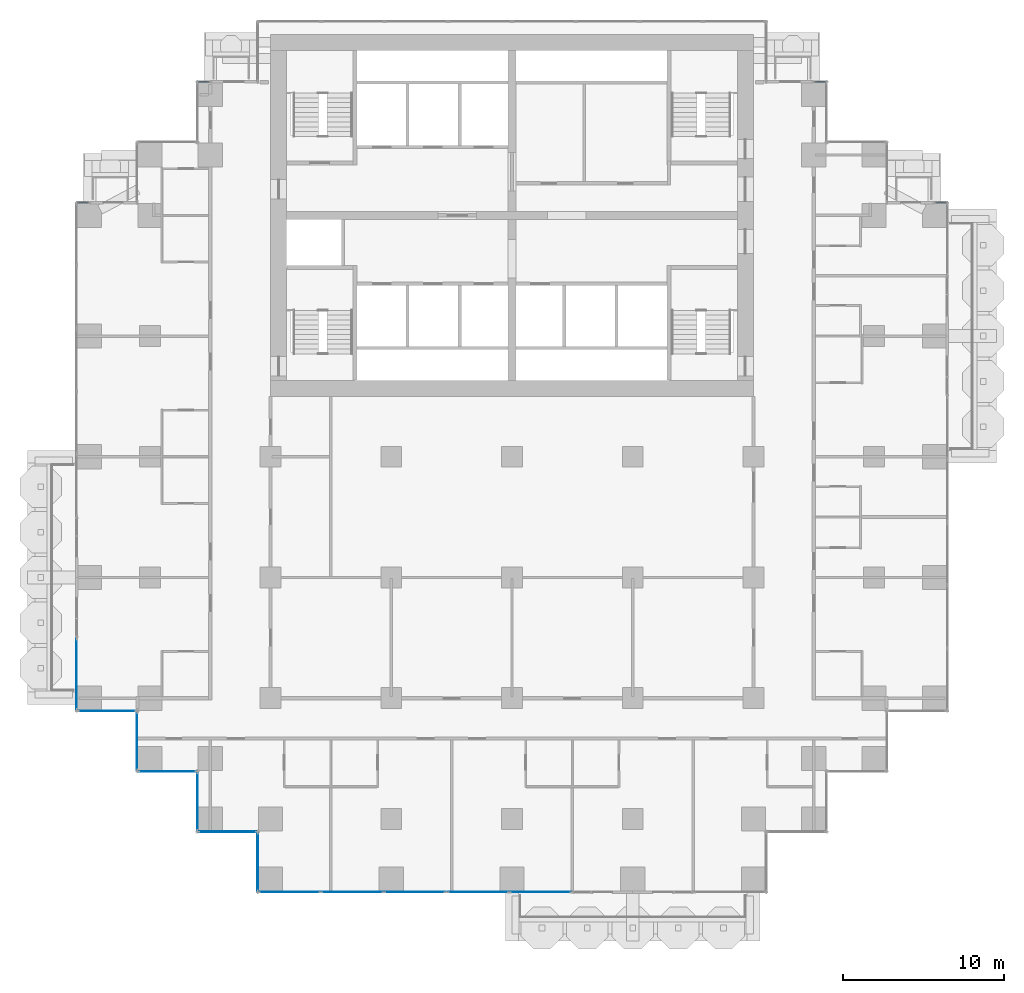
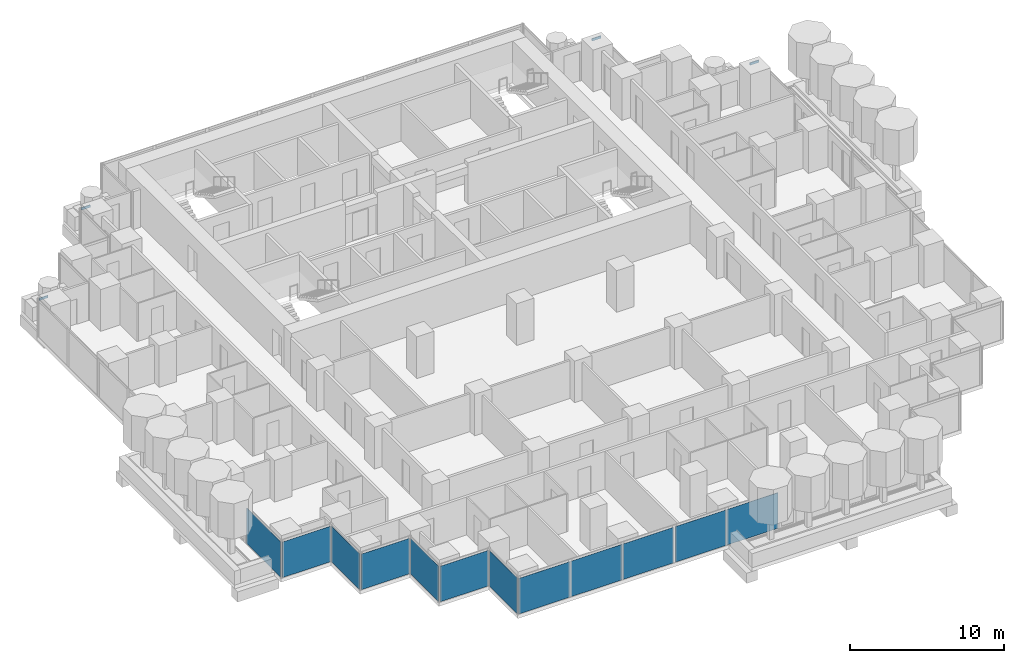
# One storey, part 7 of 19: 12 plates, 4 members, 13 elements without a shape of their own.
"""IFC4 building model written with IfcOpenShell, lengths in metres."""

from ifc_helpers import new_model, si_unit, direction, frame, origin, origin_2d, place, context, subcontext, project, spatial, rectangle, extrude, material, layer, layer_set, material_profile, profile_set, type_object, element, aggregate, save


model = new_model("IFC4")

# Units and contexts
model_context = context("Model", 3, precision=1e-05, world=origin(), true_north=direction((0.0, 1.0)))
body_context = subcontext(model_context, "Body", "Model", "MODEL_VIEW")
ifc_project = project(units=[si_unit("LENGTHUNIT", "METRE"), si_unit("AREAUNIT", "SQUARE_METRE"), si_unit("VOLUMEUNIT", "CUBIC_METRE"), si_unit("PLANEANGLEUNIT", "RADIAN"), si_unit("MASSUNIT", "GRAM", prefix="KILO")], contexts=[model_context])

# Site, building, storey
site_placement = place(None, origin())
site = spatial("IfcSite", under=ifc_project, at=site_placement, CompositionType="ELEMENT")
building_placement = place(site_placement, origin())
building = spatial("IfcBuilding", under=site, at=building_placement, Name="Pilkhan Gate Tower", CompositionType="ELEMENT")
storey_placement = place(building_placement, frame((0.0, 0.0, 79.10009765625)))
storey = spatial("IfcBuildingStorey", under=building, at=storey_placement, Name="L18", CompositionType="ELEMENT", Elevation=79.10009765625)

# Curtain wall, member
ifc_material_1 = material(Name="Pale anodised aluminium, clear low-iron double glazing", Category="aluminium")
curtain_wall_type = type_object("IfcCurtainWallType", Name="Hotel unitised curtain wall CW-H", PredefinedType="USERDEFINED", material=ifc_material_1)
curtain_wall_1_placement = place(storey_placement, origin())
curtain_wall_1 = element("IfcCurtainWall", 1, at=curtain_wall_1_placement, inside=storey, type_object=curtain_wall_type, Name="Hotel unitised curtain wall CW-H L18 N", ObjectType="UNITISED CURTAIN WALL", PredefinedType="USERDEFINED")
ifc_material_2 = material(Name="Pale anodised aluminium", Category="aluminium")
ifc_material_profile = material_profile(ifc_material_2, rectangle(XDim=0.06494140625, YDim=0.179931640625, at=origin_2d()), Name="Transom 180x65")
ifc_profile_set = profile_set([ifc_material_profile], Name="Pale anodised aluminium")
member_type = type_object("IfcMemberType", Name="Transom CW-H 180x65", PredefinedType="USERDEFINED", material=ifc_profile_set)
member_1_placement = place(storey_placement, frame((101.31494140625, 83.294921875, 2.909912109375), z_axis=(1.0, 0.0, 0.0), x_axis=(0.0, 1.0, 0.0)))
member_1 = element("IfcMember", 2, at=member_1_placement, type_object=member_type, Name="CW-H transom 1", ObjectType="TRANSOM", PredefinedType="USERDEFINED", context=body_context, shape_type="SweptSolid", body=[
    extrude(rectangle(XDim=0.06494140625, YDim=0.179931640625, at=origin_2d()), origin(), (0.0, 0.0, 1.0), 0.6650390625),
])
aggregate(curtain_wall_1, [member_1])

curtain_wall_2_placement = place(storey_placement, origin())
curtain_wall_2 = element("IfcCurtainWall", 3, at=curtain_wall_2_placement, inside=storey, type_object=curtain_wall_type, Name="Hotel unitised curtain wall CW-H L18 N", ObjectType="UNITISED CURTAIN WALL", PredefinedType="USERDEFINED")
member_2_placement = place(storey_placement, frame((93.81494140625, 90.794921875, 2.909912109375), z_axis=(1.0, 0.0, 0.0), x_axis=(0.0, 1.0, 0.0)))
member_2 = element("IfcMember", 4, at=member_2_placement, type_object=member_type, Name="CW-H transom 1", ObjectType="TRANSOM", PredefinedType="USERDEFINED", context=body_context, shape_type="SweptSolid", body=[
    extrude(rectangle(XDim=0.06494140625, YDim=0.179931640625, at=origin_2d()), origin(), (0.0, 0.0, 1.0), 0.6650390625),
])
aggregate(curtain_wall_2, [member_2])

curtain_wall_3_placement = place(storey_placement, origin())
curtain_wall_3 = element("IfcCurtainWall", 5, at=curtain_wall_3_placement, inside=storey, type_object=curtain_wall_type, Name="Hotel unitised curtain wall CW-H L18 N", ObjectType="UNITISED CURTAIN WALL", PredefinedType="USERDEFINED")
member_3_placement = place(storey_placement, frame((55.52001953125, 90.794921875, 2.909912109375), z_axis=(1.0, 0.0, 0.0), x_axis=(0.0, 1.0, 0.0)))
member_3 = element("IfcMember", 6, at=member_3_placement, type_object=member_type, Name="CW-H transom 1", ObjectType="TRANSOM", PredefinedType="USERDEFINED", context=body_context, shape_type="SweptSolid", body=[
    extrude(rectangle(XDim=0.06494140625, YDim=0.179931640625, at=origin_2d()), origin(), (0.0, 0.0, 1.0), 0.6650390625),
])
aggregate(curtain_wall_3, [member_3])

curtain_wall_4_placement = place(storey_placement, origin())
curtain_wall_4 = element("IfcCurtainWall", 7, at=curtain_wall_4_placement, inside=storey, type_object=curtain_wall_type, Name="Hotel unitised curtain wall CW-H L18 N", ObjectType="UNITISED CURTAIN WALL", PredefinedType="USERDEFINED")
member_4_placement = place(storey_placement, frame((48.02001953125, 83.294921875, 2.909912109375), z_axis=(1.0, 0.0, 0.0), x_axis=(0.0, 1.0, 0.0)))
member_4 = element("IfcMember", 8, at=member_4_placement, type_object=member_type, Name="CW-H transom 1", ObjectType="TRANSOM", PredefinedType="USERDEFINED", context=body_context, shape_type="SweptSolid", body=[
    extrude(rectangle(XDim=0.06494140625, YDim=0.179931640625, at=origin_2d()), origin(), (0.0, 0.0, 1.0), 0.6650390625),
])
aggregate(curtain_wall_4, [member_4])

# Curtain wall, plate
curtain_wall_5_placement = place(storey_placement, origin())
curtain_wall_5 = element("IfcCurtainWall", 9, at=curtain_wall_5_placement, inside=storey, type_object=curtain_wall_type, Name="Hotel unitised curtain wall CW-H L18 W", ObjectType="UNITISED CURTAIN WALL", PredefinedType="USERDEFINED")
ifc_material_3 = material(Name="Clear low-iron double glazing", Category="glass")
ifc_layer = layer(ifc_material_3, 0.035888671875)
ifc_layer_set = layer_set([ifc_layer], Name="Glass panel CW-H 36")
plate_type = type_object("IfcPlateType", Name="Glass panel CW-H 36", PredefinedType="CURTAIN_PANEL", material=ifc_layer_set)
plate_1_placement = place(storey_placement, frame((47.955078125, 53.9775390625, 0.0), z_axis=(0.0, 0.0, 1.0), x_axis=(0.0, 1.0, 0.0)))
plate_1 = element("IfcPlate", 10, at=plate_1_placement, type_object=plate_type, Name="CW-H panel 1", PredefinedType="CURTAIN_PANEL", context=body_context, shape_type="SweptSolid", body=[
    extrude(rectangle(XDim=4.4150390625, YDim=0.035888671875, at=origin_2d()), origin(), (0.0, 0.0, 1.0), 2.820068359375),
])
aggregate(curtain_wall_5, [plate_1])

curtain_wall_6_placement = place(storey_placement, origin())
curtain_wall_6 = element("IfcCurtainWall", 11, at=curtain_wall_6_placement, inside=storey, type_object=curtain_wall_type, Name="Hotel unitised curtain wall CW-H L18 S", ObjectType="UNITISED CURTAIN WALL", PredefinedType="USERDEFINED")
plate_2_placement = place(storey_placement, frame((49.830078125, 51.705078125, 0.0), z_axis=(0.0, 0.0, 1.0), x_axis=(1.0, 0.0, 0.0)))
plate_2 = element("IfcPlate", 12, at=plate_2_placement, type_object=plate_type, Name="CW-H panel 1", PredefinedType="CURTAIN_PANEL", context=body_context, shape_type="SweptSolid", body=[
    extrude(rectangle(XDim=3.6201171875, YDim=0.035888671875, at=origin_2d()), origin(), (0.0, 0.0, 1.0), 2.820068359375),
])
aggregate(curtain_wall_6, [plate_2])

curtain_wall_7_placement = place(storey_placement, origin())
curtain_wall_7 = element("IfcCurtainWall", 13, at=curtain_wall_7_placement, inside=storey, type_object=curtain_wall_type, Name="Hotel unitised curtain wall CW-H L18 W", ObjectType="UNITISED CURTAIN WALL", PredefinedType="USERDEFINED")
plate_3_placement = place(storey_placement, frame((51.705078125, 49.830078125, 0.0), z_axis=(0.0, 0.0, 1.0), x_axis=(0.0, 1.0, 0.0)))
plate_3 = element("IfcPlate", 14, at=plate_3_placement, type_object=plate_type, Name="CW-H panel 1", PredefinedType="CURTAIN_PANEL", context=body_context, shape_type="SweptSolid", body=[
    extrude(rectangle(XDim=3.6201171875, YDim=0.035888671875, at=origin_2d()), origin(), (0.0, 0.0, 1.0), 2.820068359375),
])
aggregate(curtain_wall_7, [plate_3])

curtain_wall_8_placement = place(storey_placement, origin())
curtain_wall_8 = element("IfcCurtainWall", 15, at=curtain_wall_8_placement, inside=storey, type_object=curtain_wall_type, Name="Hotel unitised curtain wall CW-H L18 S", ObjectType="UNITISED CURTAIN WALL", PredefinedType="USERDEFINED")
plate_4_placement = place(storey_placement, frame((53.580078125, 47.955078125, 0.0), z_axis=(0.0, 0.0, 1.0), x_axis=(1.0, 0.0, 0.0)))
plate_4 = element("IfcPlate", 16, at=plate_4_placement, type_object=plate_type, Name="CW-H panel 1", PredefinedType="CURTAIN_PANEL", context=body_context, shape_type="SweptSolid", body=[
    extrude(rectangle(XDim=3.6201171875, YDim=0.035888671875, at=origin_2d()), origin(), (0.0, 0.0, 1.0), 2.820068359375),
])
aggregate(curtain_wall_8, [plate_4])

curtain_wall_9_placement = place(storey_placement, origin())
curtain_wall_9 = element("IfcCurtainWall", 17, at=curtain_wall_9_placement, inside=storey, type_object=curtain_wall_type, Name="Hotel unitised curtain wall CW-H L18 W", ObjectType="UNITISED CURTAIN WALL", PredefinedType="USERDEFINED")
plate_5_placement = place(storey_placement, frame((55.455078125, 46.080078125, 0.0), z_axis=(0.0, 0.0, 1.0), x_axis=(0.0, 1.0, 0.0)))
plate_5 = element("IfcPlate", 18, at=plate_5_placement, type_object=plate_type, Name="CW-H panel 1", PredefinedType="CURTAIN_PANEL", context=body_context, shape_type="SweptSolid", body=[
    extrude(rectangle(XDim=3.6201171875, YDim=0.035888671875, at=origin_2d()), origin(), (0.0, 0.0, 1.0), 2.820068359375),
])
aggregate(curtain_wall_9, [plate_5])

curtain_wall_10_placement = place(storey_placement, origin())
curtain_wall_10 = element("IfcCurtainWall", 19, at=curtain_wall_10_placement, inside=storey, type_object=curtain_wall_type, Name="Hotel unitised curtain wall CW-H L18 S", ObjectType="UNITISED CURTAIN WALL", PredefinedType="USERDEFINED")
plate_6_placement = place(storey_placement, frame((57.330078125, 44.205078125, 0.0), z_axis=(0.0, 0.0, 1.0), x_axis=(1.0, 0.0, 0.0)))
plate_6 = element("IfcPlate", 20, at=plate_6_placement, type_object=plate_type, Name="CW-H panel 1", PredefinedType="CURTAIN_PANEL", context=body_context, shape_type="SweptSolid", body=[
    extrude(rectangle(XDim=3.6201171875, YDim=0.035888671875, at=origin_2d()), origin(), (0.0, 0.0, 1.0), 2.820068359375),
])
aggregate(curtain_wall_10, [plate_6])

curtain_wall_11_placement = place(storey_placement, origin())
curtain_wall_11 = element("IfcCurtainWall", 21, at=curtain_wall_11_placement, inside=storey, type_object=curtain_wall_type, Name="Hotel unitised curtain wall CW-H L18 W", ObjectType="UNITISED CURTAIN WALL", PredefinedType="USERDEFINED")
plate_7_placement = place(storey_placement, frame((59.205078125, 42.330078125, 0.0), z_axis=(0.0, 0.0, 1.0), x_axis=(0.0, 1.0, 0.0)))
plate_7 = element("IfcPlate", 22, at=plate_7_placement, type_object=plate_type, Name="CW-H panel 1", PredefinedType="CURTAIN_PANEL", context=body_context, shape_type="SweptSolid", body=[
    extrude(rectangle(XDim=3.6201171875, YDim=0.035888671875, at=origin_2d()), origin(), (0.0, 0.0, 1.0), 2.820068359375),
])
aggregate(curtain_wall_11, [plate_7])

# Curtain wall, plates
curtain_wall_12_placement = place(storey_placement, origin())
curtain_wall_12 = element("IfcCurtainWall", 23, at=curtain_wall_12_placement, inside=storey, type_object=curtain_wall_type, Name="Hotel unitised curtain wall CW-H L18 S", ObjectType="UNITISED CURTAIN WALL", PredefinedType="USERDEFINED")
plate_8_placement = place(storey_placement, frame((61.17578125, 40.455078125, 0.0), z_axis=(0.0, 0.0, 1.0), x_axis=(1.0, 0.0, 0.0)))
plate_8 = element("IfcPlate", 24, at=plate_8_placement, type_object=plate_type, Name="CW-H panel 1", PredefinedType="CURTAIN_PANEL", context=body_context, shape_type="SweptSolid", body=[
    extrude(rectangle(XDim=3.8115234375, YDim=0.035888671875, at=origin_2d()), origin(), (0.0, 0.0, 1.0), 2.820068359375),
])
plate_9_placement = place(storey_placement, frame((65.068603515625, 40.455078125, 0.0), z_axis=(0.0, 0.0, 1.0), x_axis=(1.0, 0.0, 0.0)))
plate_9 = element("IfcPlate", 25, at=plate_9_placement, type_object=plate_type, Name="CW-H panel 2", PredefinedType="CURTAIN_PANEL", context=body_context, shape_type="SweptSolid", body=[
    extrude(rectangle(XDim=3.843994140625, YDim=0.035888671875, at=origin_2d()), origin(), (0.0, 0.0, 1.0), 2.820068359375),
])
plate_10_placement = place(storey_placement, frame((68.961181640625, 40.455078125, 0.0), z_axis=(0.0, 0.0, 1.0), x_axis=(1.0, 0.0, 0.0)))
plate_10 = element("IfcPlate", 26, at=plate_10_placement, type_object=plate_type, Name="CW-H panel 3", PredefinedType="CURTAIN_PANEL", context=body_context, shape_type="SweptSolid", body=[
    extrude(rectangle(XDim=3.8115234375, YDim=0.035888671875, at=origin_2d()), origin(), (0.0, 0.0, 1.0), 2.820068359375),
])
aggregate(curtain_wall_12, [plate_8, plate_9, plate_10])

curtain_wall_13_placement = place(storey_placement, origin())
curtain_wall_13 = element("IfcCurtainWall", 27, at=curtain_wall_13_placement, inside=storey, type_object=curtain_wall_type, Name="Hotel unitised curtain wall CW-H L18 S", ObjectType="UNITISED CURTAIN WALL", PredefinedType="USERDEFINED")
plate_11_placement = place(storey_placement, frame((72.90283203125, 40.455078125, 0.0), z_axis=(0.0, 0.0, 1.0), x_axis=(1.0, 0.0, 0.0)))
plate_11 = element("IfcPlate", 28, at=plate_11_placement, type_object=plate_type, Name="CW-H panel 1", PredefinedType="CURTAIN_PANEL", context=body_context, shape_type="SweptSolid", body=[
    extrude(rectangle(XDim=3.8115234375, YDim=0.035888671875, at=origin_2d()), origin(), (0.0, 0.0, 1.0), 2.820068359375),
])
plate_12_placement = place(storey_placement, frame((76.779296875, 40.455078125, 0.0), z_axis=(0.0, 0.0, 1.0), x_axis=(1.0, 0.0, 0.0)))
plate_12 = element("IfcPlate", 29, at=plate_12_placement, type_object=plate_type, Name="CW-H panel 2", PredefinedType="CURTAIN_PANEL", context=body_context, shape_type="SweptSolid", body=[
    extrude(rectangle(XDim=3.8115234375, YDim=0.035888671875, at=origin_2d()), origin(), (0.0, 0.0, 1.0), 2.820068359375),
])
aggregate(curtain_wall_13, [plate_11, plate_12])

save(model, "model.ifc")
